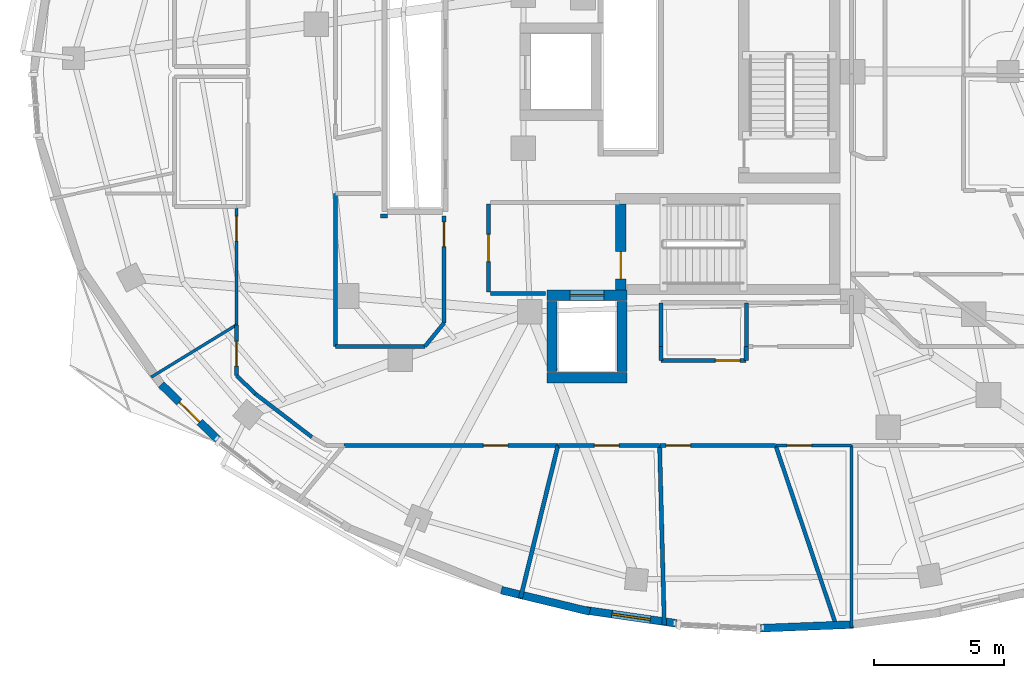
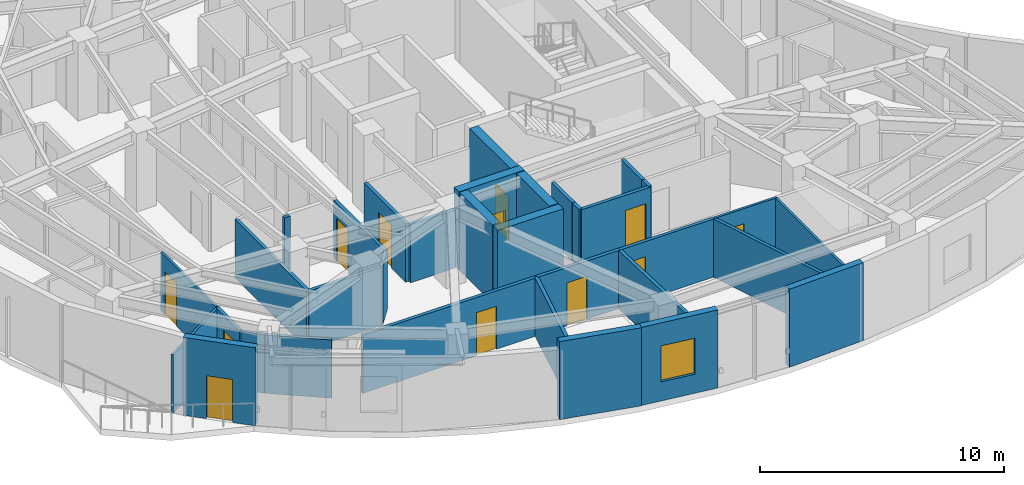
# One storey, part 7 of 14: 34 walls, 12 doors, 1 window, 13 openings.
"""IFC4 building model written with IfcOpenShell, lengths in metres."""

from ifc_helpers import new_model, si_unit, direction, frame, frame_2d, origin, place, context, subcontext, project, spatial, rectangle, extrude, material, layer, layer_set, type_object, element, fill, save


model = new_model("IFC4")

# Units and contexts
model_context = context("Model", 3, precision=1e-05, world=origin(), true_north=direction((0.0, 1.0)))
body_context = subcontext(model_context, "Body", "Model", "MODEL_VIEW")
ifc_project = project(units=[si_unit("LENGTHUNIT", "METRE"), si_unit("AREAUNIT", "SQUARE_METRE"), si_unit("VOLUMEUNIT", "CUBIC_METRE"), si_unit("PLANEANGLEUNIT", "RADIAN"), si_unit("MASSUNIT", "GRAM", prefix="KILO")], contexts=[model_context])

# Site, building, storey
site_placement = place(None, origin())
site = spatial("IfcSite", under=ifc_project, at=site_placement, CompositionType="ELEMENT")
building_placement = place(site_placement, origin())
building = spatial("IfcBuilding", under=site, at=building_placement, Name="Korentha Bioscience Tower", CompositionType="ELEMENT")
storey_placement = place(building_placement, frame((0.0, 0.0, 252.0)))
storey = spatial("IfcBuildingStorey", under=building, at=storey_placement, Name="L58", CompositionType="ELEMENT", Elevation=252.0)

# Wall, opening, door
ifc_material_1 = material(Name="Double-Stud Acoustic Gypsum", Category="gypsum")
ifc_layer_1 = layer(ifc_material_1, 0.14990234375, Name="Double-Stud Acoustic Gypsum")
ifc_layer_set_1 = layer_set([ifc_layer_1], Name="Double-Stud Acoustic Gypsum (IW-L150)")
wall_type_1 = type_object("IfcWallType", Name="Acoustic Laboratory Partition Wall 150", PredefinedType="PARTITIONING", material=ifc_layer_set_1)
wall_1_placement = place(storey_placement, frame((21.7900390625, 21.43994140625, 0.0), z_axis=(0.0, 0.0, 1.0), x_axis=(0.0, -1.0, 0.0)))
wall_1 = element("IfcWall", 1, at=wall_1_placement, inside=storey, type_object=wall_type_1, Name="L58 Research Colloquium Seminar Room 02 Entrance Wall", PredefinedType="PARTITIONING", context=body_context, shape_type="SweptSolid", body=[
    extrude(rectangle(XDim=4.131591796875, YDim=0.14990234375, at=frame_2d((2.06591796875, 0.0))), origin(), (0.0, 0.0, 1.0), 2.909912109375),
])
opening_1_placement = place(wall_1_placement, frame((0.239990234375, 0.0, 0.0)))
opening_1 = element("IfcOpeningElement", 2, at=opening_1_placement, cuts=wall_1, Name="Opening ID-10R", PredefinedType="OPENING", context=body_context, shape_type="SweptSolid", body=[
    extrude(rectangle(XDim=0.949951171875, YDim=2.14990234375, at=frame_2d((0.47509765625, 1.074951171875))), frame((0.0, 0.08984375, 0.0), z_axis=(0.0, -1.0, 0.0), x_axis=(1.0, 0.0, 0.0)), (0.0, 0.0, 1.0), 0.1796875),
])
ifc_material_2 = material(Name="Phenolic Laminate Timber Core", Category="wood")
door_type_1 = type_object("IfcDoorType", Name="Laboratory Single Leaf Door 950x2150 Right", OperationType="SINGLE_SWING_RIGHT", PredefinedType="DOOR", material=ifc_material_2)
door_1_placement = place(opening_1_placement, origin())
door_1 = element("IfcDoor", 3, at=door_1_placement, inside=storey, type_object=door_type_1, Name="L58 Research Colloquium Seminar Room 02 Door", OperationType="SINGLE_SWING_RIGHT", OverallHeight=2.14990234375, OverallWidth=0.949951171875, PredefinedType="DOOR", context=body_context, shape_type="SweptSolid", body=[
    extrude(rectangle(XDim=0.949951171875, YDim=2.14990234375, at=frame_2d((0.47509765625, 1.074951171875))), frame((0.0, 0.02490234375, 0.0), z_axis=(0.0, -1.0, 0.0), x_axis=(1.0, 0.0, 0.0)), (0.0, 0.0, 1.0), 0.050048828125),
])
fill(opening_1, door_1)

wall_2_placement = place(storey_placement, frame((13.7900390625, 17.2255859375, 0.0), z_axis=(0.0, 0.0, 1.0), x_axis=(0.0, -1.0, 0.0)))
wall_2 = element("IfcWall", 4, at=wall_2_placement, inside=storey, type_object=wall_type_1, Name="L58 Staff Pantry Kitchenette 03 Entrance Wall", PredefinedType="PARTITIONING", context=body_context, shape_type="SweptSolid", body=[
    extrude(rectangle(XDim=1.93408203125, YDim=0.14990234375, at=frame_2d((0.967041015625, 0.0))), origin(), (0.0, 0.0, 1.0), 2.909912109375),
])
opening_2_placement = place(wall_2_placement, frame((0.625, 0.0, 0.0)))
opening_2 = element("IfcOpeningElement", 5, at=opening_2_placement, cuts=wall_2, Name="Opening ID-10L", PredefinedType="OPENING", context=body_context, shape_type="SweptSolid", body=[
    extrude(rectangle(XDim=0.949951171875, YDim=2.14990234375, at=frame_2d((0.47509765625, 1.074951171875))), frame((0.0, 0.08984375, 0.0), z_axis=(0.0, -1.0, 0.0), x_axis=(1.0, 0.0, 0.0)), (0.0, 0.0, 1.0), 0.1796875),
])
door_type_2 = type_object("IfcDoorType", Name="Laboratory Single Leaf Door 950x2150 Left", OperationType="SINGLE_SWING_LEFT", PredefinedType="DOOR", material=ifc_material_2)
door_2_placement = place(opening_2_placement, origin())
door_2 = element("IfcDoor", 6, at=door_2_placement, inside=storey, type_object=door_type_2, Name="L58 Staff Pantry Kitchenette 03 Door", OperationType="SINGLE_SWING_LEFT", OverallHeight=2.14990234375, OverallWidth=0.949951171875, PredefinedType="DOOR", context=body_context, shape_type="SweptSolid", body=[
    extrude(rectangle(XDim=0.949951171875, YDim=2.14990234375, at=frame_2d((0.47509765625, 1.074951171875))), frame((0.0, 0.02490234375, 0.0), z_axis=(0.0, -1.0, 0.0), x_axis=(1.0, 0.0, 0.0)), (0.0, 0.0, 1.0), 0.050048828125),
])
fill(opening_2, door_2)

wall_3_placement = place(storey_placement, frame((30.1103515625, 12.590087890625, 0.0), z_axis=(0.0, 0.0, 1.0), x_axis=(1.0, 0.0, 0.0)))
wall_3 = element("IfcWall", 7, at=wall_3_placement, inside=storey, type_object=wall_type_1, Name="L58 Epidemiology Modelling Studio 06 Entrance Wall", PredefinedType="PARTITIONING", context=body_context, shape_type="SweptSolid", body=[
    extrude(rectangle(XDim=4.462158203125, YDim=0.14990234375, at=frame_2d((2.23095703125, 0.0))), origin(), (0.0, 0.0, 1.0), 2.909912109375),
])
opening_3_placement = place(wall_3_placement, frame((0.239990234375, 0.0, 0.0)))
opening_3 = element("IfcOpeningElement", 8, at=opening_3_placement, cuts=wall_3, Name="Opening ID-10R", PredefinedType="OPENING", context=body_context, shape_type="SweptSolid", body=[
    extrude(rectangle(XDim=0.949951171875, YDim=2.14990234375, at=frame_2d((0.47509765625, 1.074951171875))), frame((0.0, 0.08984375, 0.0), z_axis=(0.0, -1.0, 0.0), x_axis=(1.0, 0.0, 0.0)), (0.0, 0.0, 1.0), 0.1796875),
])
door_3_placement = place(opening_3_placement, origin())
door_3 = element("IfcDoor", 9, at=door_3_placement, inside=storey, type_object=door_type_1, Name="L58 Epidemiology Modelling Studio 06 Door", OperationType="SINGLE_SWING_RIGHT", OverallHeight=2.14990234375, OverallWidth=0.949951171875, PredefinedType="DOOR", context=body_context, shape_type="SweptSolid", body=[
    extrude(rectangle(XDim=0.949951171875, YDim=2.14990234375, at=frame_2d((0.47509765625, 1.074951171875))), frame((0.0, 0.02490234375, 0.0), z_axis=(0.0, -1.0, 0.0), x_axis=(1.0, 0.0, 0.0)), (0.0, 0.0, 1.0), 0.050048828125),
])
fill(opening_3, door_3)

# Walls
wall_4_placement = place(storey_placement, frame((19.35009765625, 21.43994140625, 0.0), z_axis=(0.0, 0.0, 1.0), x_axis=(1.0, 0.0, 0.0)))
element("IfcWall", 10, at=wall_4_placement, inside=storey, type_object=wall_type_1, Name="L58 Interior Partition 050", PredefinedType="PARTITIONING", context=body_context, shape_type="SweptSolid", body=[
    extrude(rectangle(XDim=0.27001953125, YDim=0.14990234375, at=frame_2d((0.135009765625, 0.0))), origin(), (0.0, 0.0, 1.0), 2.909912109375),
])
wall_5_placement = place(storey_placement, frame((21.7900390625, 17.308349609375, 0.0), z_axis=(0.0, 0.0, 1.0), x_axis=(-0.633375193537, -0.773844857973, 0.0)))
element("IfcWall", 11, at=wall_5_placement, inside=storey, type_object=wall_type_1, Name="L58 Interior Partition 051", PredefinedType="PARTITIONING", context=body_context, shape_type="SweptSolid", body=[
    extrude(rectangle(XDim=1.160888671875, YDim=0.14990234375, at=frame_2d((0.58056640625, 0.0))), origin(), (0.0, 0.0, 1.0), 2.909912109375),
])
wall_6_placement = place(storey_placement, frame((21.0546875, 16.409912109375, 0.0), z_axis=(0.0, 0.0, 1.0), x_axis=(-1.0, 0.0, 0.0)))
element("IfcWall", 12, at=wall_6_placement, inside=storey, type_object=wall_type_1, Name="L58 Interior Partition 052", PredefinedType="PARTITIONING", context=body_context, shape_type="SweptSolid", body=[
    extrude(rectangle(XDim=3.444580078125, YDim=0.14990234375, at=frame_2d((1.72216796875, 0.0))), origin(), (0.0, 0.0, 1.0), 2.909912109375),
])
wall_7_placement = place(storey_placement, frame((17.610107421875, 16.409912109375, 0.0), z_axis=(0.0, 0.0, 1.0), x_axis=(0.0, 1.0, 0.0)))
element("IfcWall", 13, at=wall_7_placement, inside=storey, type_object=wall_type_1, Name="L58 Interior Partition 053", PredefinedType="PARTITIONING", context=body_context, shape_type="SweptSolid", body=[
    extrude(rectangle(XDim=5.88818359375, YDim=0.14990234375, at=frame_2d((2.944091796875, 0.0))), origin(), (0.0, 0.0, 1.0), 2.909912109375),
])
wall_8_placement = place(storey_placement, frame((13.79296875, 15.2841796875, 0.0), z_axis=(0.0, 0.0, 1.0), x_axis=(0.7160122468, -0.698087718294, 0.0)))
element("IfcWall", 14, at=wall_8_placement, inside=storey, type_object=wall_type_1, Name="L58 Interior Partition 055", PredefinedType="PARTITIONING", context=body_context, shape_type="SweptSolid", body=[
    extrude(rectangle(XDim=1.0078125, YDim=0.14990234375, at=frame_2d((0.50390625, 0.0))), origin(), (0.0, 0.0, 1.0), 2.909912109375),
])
wall_9_placement = place(storey_placement, frame((14.515625, 14.579833984375, 0.0), z_axis=(0.0, 0.0, 1.0), x_axis=(0.794390609039, -0.60740724417, 0.0)))
element("IfcWall", 15, at=wall_9_placement, inside=storey, type_object=wall_type_1, Name="L58 Interior Partition 056", PredefinedType="PARTITIONING", context=body_context, shape_type="SweptSolid", body=[
    extrude(rectangle(XDim=2.74853515625, YDim=0.14990234375, at=frame_2d((1.374267578125, 0.0))), origin(), (0.0, 0.0, 1.0), 2.909912109375),
])
wall_10_placement = place(storey_placement, frame((34.572509765625, 12.590087890625, 0.0), z_axis=(0.0, 0.0, 1.0), x_axis=(0.318948473563, -0.947772056568, 0.0)))
element("IfcWall", 16, at=wall_10_placement, inside=storey, type_object=wall_type_1, Name="L58 Interior Partition 062", PredefinedType="PARTITIONING", context=body_context, shape_type="SweptSolid", body=[
    extrude(rectangle(XDim=7.426513671875, YDim=0.14990234375, at=frame_2d((3.71337890625, 0.0))), origin(), (0.0, 0.0, 1.0), 2.909912109375),
])

# Wall, opening, door
ifc_material_3 = material(Name="Fire-Rated Framed Glass", Category="glass")
ifc_layer_2 = layer(ifc_material_3, 0.110107421875, Name="Fire-Rated Framed Glass")
ifc_layer_set_2 = layer_set([ifc_layer_2], Name="Fire-Rated Framed Glass (IW-G110)")
wall_type_2 = type_object("IfcWallType", Name="Demountable Glazed Office Partition 110", PredefinedType="MOVABLE", material=ifc_layer_set_2)
wall_11_placement = place(storey_placement, frame((13.7900390625, 21.7900390625, 0.0), z_axis=(0.0, 0.0, 1.0), x_axis=(0.0, -1.0, 0.0)))
wall_11 = element("IfcWall", 17, at=wall_11_placement, inside=storey, type_object=wall_type_2, Name="L58 Principal Investigator Office 01 Entrance Wall", PredefinedType="MOVABLE", context=body_context, shape_type="SweptSolid", body=[
    extrude(rectangle(XDim=4.552734375, YDim=0.110107421875, at=frame_2d((2.2763671875, 0.0))), origin(), (0.0, 0.0, 1.0), 2.909912109375),
])
opening_4_placement = place(wall_11_placement, frame((0.37158203125, 0.0, 0.0)))
opening_4 = element("IfcOpeningElement", 18, at=opening_4_placement, cuts=wall_11, Name="Opening ID-10L", PredefinedType="OPENING", context=body_context, shape_type="SweptSolid", body=[
    extrude(rectangle(XDim=0.949951171875, YDim=2.14990234375, at=frame_2d((0.47509765625, 1.074951171875))), frame((0.0, 0.06982421875, 0.0), z_axis=(0.0, -1.0, 0.0), x_axis=(1.0, 0.0, 0.0)), (0.0, 0.0, 1.0), 0.139892578125),
])
door_4_placement = place(opening_4_placement, origin())
door_4 = element("IfcDoor", 19, at=door_4_placement, inside=storey, type_object=door_type_2, Name="L58 Principal Investigator Office 01 Door", OperationType="SINGLE_SWING_LEFT", OverallHeight=2.14990234375, OverallWidth=0.949951171875, PredefinedType="DOOR", context=body_context, shape_type="SweptSolid", body=[
    extrude(rectangle(XDim=0.949951171875, YDim=2.14990234375, at=frame_2d((0.47509765625, 1.074951171875))), frame((0.0, 0.02490234375, 0.0), z_axis=(0.0, -1.0, 0.0), x_axis=(1.0, 0.0, 0.0)), (0.0, 0.0, 1.0), 0.050048828125),
])
fill(opening_4, door_4)

wall_12_placement = place(storey_placement, frame((34.5830078125, 12.590087890625, 0.0), z_axis=(0.0, 0.0, 1.0), x_axis=(1.0, 0.0, 0.0)))
wall_12 = element("IfcWall", 20, at=wall_12_placement, inside=storey, type_object=wall_type_2, Name="L58 Senior Scientist Corner Office 07 Entrance Wall", PredefinedType="MOVABLE", context=body_context, shape_type="SweptSolid", body=[
    extrude(rectangle(XDim=2.9150390625, YDim=0.110107421875, at=frame_2d((1.45751953125, 0.0))), origin(), (0.0, 0.0, 1.0), 2.909912109375),
])
opening_5_placement = place(wall_12_placement, frame((0.429443359375, 0.0, 0.0)))
opening_5 = element("IfcOpeningElement", 21, at=opening_5_placement, cuts=wall_12, Name="Opening ID-10L", PredefinedType="OPENING", context=body_context, shape_type="SweptSolid", body=[
    extrude(rectangle(XDim=0.949951171875, YDim=2.14990234375, at=frame_2d((0.47509765625, 1.074951171875))), frame((0.0, 0.06982421875, 0.0), z_axis=(0.0, -1.0, 0.0), x_axis=(1.0, 0.0, 0.0)), (0.0, 0.0, 1.0), 0.139892578125),
])
door_5_placement = place(opening_5_placement, origin())
door_5 = element("IfcDoor", 22, at=door_5_placement, inside=storey, type_object=door_type_2, Name="L58 Senior Scientist Corner Office 07 Door", OperationType="SINGLE_SWING_LEFT", OverallHeight=2.14990234375, OverallWidth=0.949951171875, PredefinedType="DOOR", context=body_context, shape_type="SweptSolid", body=[
    extrude(rectangle(XDim=0.949951171875, YDim=2.14990234375, at=frame_2d((0.47509765625, 1.074951171875))), frame((0.0, 0.02490234375, 0.0), z_axis=(0.0, -1.0, 0.0), x_axis=(1.0, 0.0, 0.0)), (0.0, 0.0, 1.0), 0.050048828125),
])
fill(opening_5, door_5)

# Walls
wall_13_placement = place(storey_placement, frame((13.7900390625, 17.2373046875, 0.0), z_axis=(0.0, 0.0, 1.0), x_axis=(-0.852642224979, -0.522495202066, 0.0)))
element("IfcWall", 23, at=wall_13_placement, inside=storey, type_object=wall_type_2, Name="L58 Interior Partition 048", PredefinedType="MOVABLE", context=body_context, shape_type="SweptSolid", body=[
    extrude(rectangle(XDim=3.853515625, YDim=0.110107421875, at=frame_2d((1.9267578125, 0.0))), origin(), (0.0, 0.0, 1.0), 2.909912109375),
])
wall_14_placement = place(storey_placement, frame((37.498046875, 12.590087890625, 0.0), z_axis=(0.0, 0.0, 1.0), x_axis=(0.0, -1.0, 0.0)))
element("IfcWall", 24, at=wall_14_placement, inside=storey, type_object=wall_type_2, Name="L58 Interior Partition 063", PredefinedType="MOVABLE", context=body_context, shape_type="SweptSolid", body=[
    extrude(rectangle(XDim=7.02392578125, YDim=0.110107421875, at=frame_2d((3.511962890625, 0.0))), origin(), (0.0, 0.0, 1.0), 2.909912109375),
])

# Wall, opening, door
ifc_material_4 = material(Name="Gypsum-Clad Steel Stud", Category="steel")
ifc_layer_3 = layer(ifc_material_4, 0.159912109375, Name="Gypsum-Clad Steel Stud")
ifc_layer_set_3 = layer_set([ifc_layer_3], Name="Gypsum-Clad Steel Stud (IW-C160)")
wall_type_3 = type_object("IfcWallType", Name="Fire-Rated Corridor Partition Wall 160", PredefinedType="PARTITIONING", material=ifc_layer_set_3)
wall_15_placement = place(storey_placement, frame((23.5, 18.5, 0.0), z_axis=(0.0, 0.0, 1.0), x_axis=(0.0, 1.0, 0.0)))
wall_15 = element("IfcWall", 25, at=wall_15_placement, inside=storey, type_object=wall_type_3, Name="L58 FFLS-CW Rated Enclosure Wall", PredefinedType="PARTITIONING", context=body_context, shape_type="SweptSolid", body=[
    extrude(rectangle(XDim=3.39990234375, YDim=0.159912109375, at=frame_2d((1.699951171875, 0.0))), origin(), (0.0, 0.0, 1.0), 2.909912109375),
])
opening_6_placement = place(wall_15_placement, frame((1.175048828125, 0.0, 0.0)))
opening_6 = element("IfcOpeningElement", 26, at=opening_6_placement, cuts=wall_15, Name="Opening FD-90L", PredefinedType="OPENING", context=body_context, shape_type="SweptSolid", body=[
    extrude(rectangle(XDim=1.050048828125, YDim=2.14990234375, at=frame_2d((0.52490234375, 1.074951171875))), frame((0.0, 0.0947265625, 0.0), z_axis=(0.0, -1.0, 0.0), x_axis=(1.0, 0.0, 0.0)), (0.0, 0.0, 1.0), 0.189697265625),
])
ifc_material_5 = material(Name="Powder-Coated Fire-Rated Steel", Category="steel")
door_type_3 = type_object("IfcDoorType", Name="Stairwell Fire Exit Door 1050x2150 Left", OperationType="SINGLE_SWING_LEFT", PredefinedType="DOOR", material=ifc_material_5)
door_6_placement = place(opening_6_placement, origin())
door_6 = element("IfcDoor", 27, at=door_6_placement, inside=storey, type_object=door_type_3, Name="L58 South Firefighting Lobby Door", OperationType="SINGLE_SWING_LEFT", OverallHeight=2.14990234375, OverallWidth=1.050048828125, PredefinedType="DOOR", context=body_context, shape_type="SweptSolid", body=[
    extrude(rectangle(XDim=1.050048828125, YDim=2.14990234375, at=frame_2d((0.52490234375, 1.074951171875))), frame((0.0, 0.02490234375, 0.0), z_axis=(0.0, -1.0, 0.0), x_axis=(1.0, 0.0, 0.0)), (0.0, 0.0, 1.0), 0.050048828125),
])
fill(opening_6, door_6)

# Wall
wall_16_placement = place(storey_placement, frame((23.580078125, 18.449951171875, 0.0), z_axis=(0.0, 0.0, 1.0), x_axis=(1.0, 0.0, 0.0)))
element("IfcWall", 28, at=wall_16_placement, inside=storey, type_object=wall_type_3, Name="L58 Firefighting Lobby Return Wall FFLS-S", PredefinedType="PARTITIONING", context=body_context, shape_type="SweptSolid", body=[
    extrude(rectangle(XDim=2.119873046875, YDim=0.159912109375, at=frame_2d((1.06005859375, 0.0))), origin(), (0.0, 0.0, 1.0), 2.909912109375),
])

# Wall, opening, door
wall_17_placement = place(storey_placement, frame((33.43994140625, 15.860107421875, 0.0), z_axis=(0.0, 0.0, 1.0), x_axis=(-1.0, 0.0, 0.0)))
wall_17 = element("IfcWall", 29, at=wall_17_placement, inside=storey, type_object=wall_type_3, Name="L58 Core Instrumentation and Gas Store Entrance Wall", PredefinedType="PARTITIONING", context=body_context, shape_type="SweptSolid", body=[
    extrude(rectangle(XDim=3.280029296875, YDim=0.159912109375, at=frame_2d((1.64013671875, 0.0))), origin(), (0.0, 0.0, 1.0), 2.909912109375),
])
opening_7_placement = place(wall_17_placement, frame((0.239990234375, 0.0, 0.0)))
opening_7 = element("IfcOpeningElement", 30, at=opening_7_placement, cuts=wall_17, Name="Opening ID-10L", PredefinedType="OPENING", context=body_context, shape_type="SweptSolid", body=[
    extrude(rectangle(XDim=0.949951171875, YDim=2.14990234375, at=frame_2d((0.47509765625, 1.074951171875))), frame((0.0, 0.0947265625, 0.0), z_axis=(0.0, -1.0, 0.0), x_axis=(1.0, 0.0, 0.0)), (0.0, 0.0, 1.0), 0.189697265625),
])
door_7_placement = place(opening_7_placement, origin())
door_7 = element("IfcDoor", 31, at=door_7_placement, inside=storey, type_object=door_type_2, Name="L58 Core Instrumentation and Gas Store Door", OperationType="SINGLE_SWING_LEFT", OverallHeight=2.14990234375, OverallWidth=0.949951171875, PredefinedType="DOOR", context=body_context, shape_type="SweptSolid", body=[
    extrude(rectangle(XDim=0.949951171875, YDim=2.14990234375, at=frame_2d((0.47509765625, 1.074951171875))), frame((0.0, 0.02490234375, 0.0), z_axis=(0.0, -1.0, 0.0), x_axis=(1.0, 0.0, 0.0)), (0.0, 0.0, 1.0), 0.050048828125),
])
fill(opening_7, door_7)

wall_18_placement = place(storey_placement, frame((17.93798828125, 12.590087890625, 0.0), z_axis=(0.0, 0.0, 1.0), x_axis=(1.0, 0.0, 0.0)))
wall_18 = element("IfcWall", 32, at=wall_18_placement, inside=storey, type_object=wall_type_3, Name="L58 Biospecimen Archive Store 04 Entrance Wall", PredefinedType="PARTITIONING", context=body_context, shape_type="SweptSolid", body=[
    extrude(rectangle(XDim=8.24560546875, YDim=0.159912109375, at=frame_2d((4.122802734375, 0.0))), origin(), (0.0, 0.0, 1.0), 2.909912109375),
])
opening_8_placement = place(wall_18_placement, frame((5.3642578125, 0.0, 0.0)))
opening_8 = element("IfcOpeningElement", 33, at=opening_8_placement, cuts=wall_18, Name="Opening ID-10R", PredefinedType="OPENING", context=body_context, shape_type="SweptSolid", body=[
    extrude(rectangle(XDim=0.949951171875, YDim=2.14990234375, at=frame_2d((0.47509765625, 1.074951171875))), frame((0.0, 0.0947265625, 0.0), z_axis=(0.0, -1.0, 0.0), x_axis=(1.0, 0.0, 0.0)), (0.0, 0.0, 1.0), 0.189697265625),
])
door_8_placement = place(opening_8_placement, origin())
door_8 = element("IfcDoor", 34, at=door_8_placement, inside=storey, type_object=door_type_1, Name="L58 Biospecimen Archive Store 04 Door", OperationType="SINGLE_SWING_RIGHT", OverallHeight=2.14990234375, OverallWidth=0.949951171875, PredefinedType="DOOR", context=body_context, shape_type="SweptSolid", body=[
    extrude(rectangle(XDim=0.949951171875, YDim=2.14990234375, at=frame_2d((0.47509765625, 1.074951171875))), frame((0.0, 0.02490234375, 0.0), z_axis=(0.0, -1.0, 0.0), x_axis=(1.0, 0.0, 0.0)), (0.0, 0.0, 1.0), 0.050048828125),
])
fill(opening_8, door_8)

wall_19_placement = place(storey_placement, frame((26.193603515625, 12.590087890625, 0.0), z_axis=(0.0, 0.0, 1.0), x_axis=(1.0, 0.0, 0.0)))
wall_19 = element("IfcWall", 35, at=wall_19_placement, inside=storey, type_object=wall_type_3, Name="L58 Cold-Chain Stability Chamber 05 Entrance Wall", PredefinedType="PARTITIONING", context=body_context, shape_type="SweptSolid", body=[
    extrude(rectangle(XDim=3.90673828125, YDim=0.159912109375, at=frame_2d((1.953369140625, 0.0))), origin(), (0.0, 0.0, 1.0), 2.909912109375),
])
opening_9_placement = place(wall_19_placement, frame((1.3955078125, 0.0, 0.0)))
opening_9 = element("IfcOpeningElement", 36, at=opening_9_placement, cuts=wall_19, Name="Opening ID-10L", PredefinedType="OPENING", context=body_context, shape_type="SweptSolid", body=[
    extrude(rectangle(XDim=0.949951171875, YDim=2.14990234375, at=frame_2d((0.47509765625, 1.074951171875))), frame((0.0, 0.0947265625, 0.0), z_axis=(0.0, -1.0, 0.0), x_axis=(1.0, 0.0, 0.0)), (0.0, 0.0, 1.0), 0.189697265625),
])
door_9_placement = place(opening_9_placement, origin())
door_9 = element("IfcDoor", 37, at=door_9_placement, inside=storey, type_object=door_type_2, Name="L58 Cold-Chain Stability Chamber 05 Door", OperationType="SINGLE_SWING_LEFT", OverallHeight=2.14990234375, OverallWidth=0.949951171875, PredefinedType="DOOR", context=body_context, shape_type="SweptSolid", body=[
    extrude(rectangle(XDim=0.949951171875, YDim=2.14990234375, at=frame_2d((0.47509765625, 1.074951171875))), frame((0.0, 0.02490234375, 0.0), z_axis=(0.0, -1.0, 0.0), x_axis=(1.0, 0.0, 0.0)), (0.0, 0.0, 1.0), 0.050048828125),
])
fill(opening_9, door_9)

# Walls
for number, where, z_axis, x_axis, name in (
    (38, (33.43994140625, 16.39990234375, 0.0), (0.0, 0.0, 1.0), (0.0, -1.0, 0.0), "L58 Interior Partition 028"),
    (39, (30.159912109375, 15.860107421875, 0.0), (0.0, 0.0, 1.0), (0.0, 1.0, 0.0), "L58 Interior Partition 029"),
):
    element("IfcWall", number, at=place(storey_placement, frame(where, z_axis=z_axis, x_axis=x_axis)), inside=storey, type_object=wall_type_3, Name=name, PredefinedType="PARTITIONING", context=body_context, shape_type="SweptSolid", body=[
        extrude(rectangle(XDim=0.539794921875, YDim=0.159912109375, at=frame_2d((0.27001953125, 0.0))), origin(), (0.0, 0.0, 1.0), 2.909912109375),
    ])
for number, where, z_axis, x_axis, name in (
    (40, (30.14990234375, 16.409912109375, 0.0), (0.0, 0.0, 1.0), (0.0, 1.0, 0.0), "L58 Interior Partition 030"),
    (41, (33.449951171875, 18.090087890625, 0.0), (0.0, 0.0, 1.0), (0.0, -1.0, 0.0), "L58 Interior Partition 032"),
):
    element("IfcWall", number, at=place(storey_placement, frame(where, z_axis=z_axis, x_axis=x_axis)), inside=storey, type_object=wall_type_3, Name=name, PredefinedType="PARTITIONING", context=body_context, shape_type="SweptSolid", body=[
        extrude(rectangle(XDim=1.68017578125, YDim=0.159912109375, at=frame_2d((0.840087890625, 0.0))), origin(), (0.0, 0.0, 1.0), 2.909912109375),
    ])
wall_20_placement = place(storey_placement, frame((26.18359375, 12.590087890625, 0.0), z_axis=(0.0, 0.0, 1.0), x_axis=(-0.238531404219, -0.971134784261, 0.0)))
element("IfcWall", 42, at=wall_20_placement, inside=storey, type_object=wall_type_3, Name="L58 Interior Partition 060", PredefinedType="PARTITIONING", context=body_context, shape_type="SweptSolid", body=[
    extrude(rectangle(XDim=6.05712890625, YDim=0.159912109375, at=frame_2d((3.028564453125, 0.0))), origin(), (0.0, 0.0, 1.0), 2.909912109375),
])
wall_21_placement = place(storey_placement, frame((30.100341796875, 12.590087890625, 0.0), z_axis=(0.0, 0.0, 1.0), x_axis=(0.026207563796, -0.999656522812, 0.0)))
element("IfcWall", 43, at=wall_21_placement, inside=storey, type_object=wall_type_3, Name="L58 Interior Partition 061", PredefinedType="PARTITIONING", context=body_context, shape_type="SweptSolid", body=[
    extrude(rectangle(XDim=6.930908203125, YDim=0.159912109375, at=frame_2d((3.46533203125, 0.0))), origin(), (0.0, 0.0, 1.0), 2.909912109375),
])

# Wall, opening, door
ifc_material_6 = material(Name="Honed Limestone Precast Concrete C40", Category="masonry")
ifc_layer_4 = layer(ifc_material_6, 0.300048828125, Name="Honed Limestone Precast Concrete C40")
ifc_layer_set_4 = layer_set([ifc_layer_4], Name="Honed Limestone Precast Concrete C40 (EW-ST300)")
wall_type_4 = type_object("IfcWallType", Name="Honed Limestone Cavity Spandrel Wall 300", PredefinedType="STANDARD", material=ifc_layer_set_4)
wall_22_placement = place(storey_placement, frame((10.8916015625, 14.94287109375, 0.0), z_axis=(0.0, 0.0, 1.0), x_axis=(0.716005135245, -0.698095012375, 0.0)))
wall_22 = element("IfcWall", 44, at=wall_22_placement, inside=storey, type_object=wall_type_4, Name="L58 Balcony Threshold Wall 03", PredefinedType="STANDARD", context=body_context, shape_type="SweptSolid", body=[
    extrude(rectangle(XDim=3.053466796875, YDim=0.300048828125, at=frame_2d((1.52685546875, 0.0))), origin(), (0.0, 0.0, 1.0), 3.89990234375),
])
opening_10_placement = place(wall_22_placement, frame((0.976806640625, 0.0, 0.0)))
opening_10 = element("IfcOpeningElement", 45, at=opening_10_placement, cuts=wall_22, Name="Opening BD-11L", PredefinedType="OPENING", context=body_context, shape_type="SweptSolid", body=[
    extrude(rectangle(XDim=1.10009765625, YDim=2.14990234375, at=frame_2d((0.550048828125, 1.074951171875))), frame((0.0, 0.1650390625, 0.0), z_axis=(0.0, -1.0, 0.0), x_axis=(1.0, 0.0, 0.0)), (0.0, 0.0, 1.0), 0.329833984375),
])
ifc_material_7 = material(Name="Thermally Broken Glazed Aluminium", Category="aluminium")
door_type_4 = type_object("IfcDoorType", Name="Balcony Terrace Glazed Door 1100x2150 Left", OperationType="SINGLE_SWING_LEFT", PredefinedType="DOOR", material=ifc_material_7)
door_10_placement = place(opening_10_placement, origin())
door_10 = element("IfcDoor", 46, at=door_10_placement, inside=storey, type_object=door_type_4, Name="L58 Balcony Access Door 03", OperationType="SINGLE_SWING_LEFT", OverallHeight=2.14990234375, OverallWidth=1.10009765625, PredefinedType="DOOR", context=body_context, shape_type="SweptSolid", body=[
    extrude(rectangle(XDim=1.10009765625, YDim=2.14990234375, at=frame_2d((0.550048828125, 1.074951171875))), frame((0.0, 0.02490234375, 0.0), z_axis=(0.0, -1.0, 0.0), x_axis=(1.0, 0.0, 0.0)), (0.0, 0.0, 1.0), 0.050048828125),
])
fill(opening_10, door_10)

# Wall, opening, window
wall_23_placement = place(storey_placement, frame((27.26513671875, 6.23486328125, 0.0), z_axis=(0.0, 0.0, 1.0), x_axis=(0.989727373885, -0.14296756759, 0.0)))
wall_23 = element("IfcWall", 47, at=wall_23_placement, inside=storey, type_object=wall_type_4, Name="L58 Honed Limestone Spandrel Wall 30", PredefinedType="STANDARD", context=body_context, shape_type="SweptSolid", body=[
    extrude(rectangle(XDim=3.514404296875, YDim=0.300048828125, at=frame_2d((1.75732421875, 0.0))), origin(), (0.0, 0.0, 1.0), 3.89990234375),
])
opening_11_placement = place(wall_23_placement, frame((1.007080078125, 0.0, 0.949951171875)))
opening_11 = element("IfcOpeningElement", 48, at=opening_11_placement, cuts=wall_23, Name="Opening WN-02", PredefinedType="OPENING", context=body_context, shape_type="SweptSolid", body=[
    extrude(rectangle(XDim=1.5, YDim=1.800048828125, at=frame_2d((0.75, 0.89990234375))), frame((0.0, 0.1650390625, 0.0), z_axis=(0.0, -1.0, 0.0), x_axis=(1.0, 0.0, 0.0)), (0.0, 0.0, 1.0), 0.329833984375),
])
ifc_material_8 = material(Name="Thermally Broken Aluminium Triple Glazing", Category="aluminium")
window_type = type_object("IfcWindowType", Name="Acoustic Operable Office Window 1500x1800", PartitioningType="DOUBLE_PANEL_VERTICAL", PredefinedType="WINDOW", material=ifc_material_8)
window_placement = place(opening_11_placement, origin())
window = element("IfcWindow", 49, at=window_placement, inside=storey, type_object=window_type, Name="L58 Facade Window 30", OverallHeight=1.800048828125, OverallWidth=1.5, PartitioningType="DOUBLE_PANEL_VERTICAL", PredefinedType="WINDOW", context=body_context, shape_type="SweptSolid", body=[
    extrude(rectangle(XDim=1.5, YDim=1.800048828125, at=frame_2d((0.75, 0.89990234375))), frame((0.0, 0.030029296875, 0.0), z_axis=(0.0, -1.0, 0.0), x_axis=(1.0, 0.0, 0.0)), (0.0, 0.0, 1.0), 0.06005859375),
])
fill(opening_11, window)

# Walls
wall_24_placement = place(storey_placement, frame((23.998046875, 7.01025390625, 0.0), z_axis=(0.0, 0.0, 1.0), x_axis=(0.972025869784, -0.23487381393, 0.0)))
element("IfcWall", 50, at=wall_24_placement, inside=storey, type_object=wall_type_4, Name="L58 Limestone Perimeter Closure Wall 29", PredefinedType="STANDARD", context=body_context, shape_type="SweptSolid", body=[
    extrude(rectangle(XDim=3.51220703125, YDim=0.300048828125, at=frame_2d((1.756103515625, 0.0))), origin(), (0.0, 0.0, 1.0), 3.89990234375),
])
wall_25_placement = place(storey_placement, frame((33.98779296875, 5.543212890625, 0.0), z_axis=(0.0, 0.0, 1.0), x_axis=(0.999208461954, 0.039780014567, 0.0)))
element("IfcWall", 51, at=wall_25_placement, inside=storey, type_object=wall_type_4, Name="L58 Limestone Perimeter Closure Wall 32", PredefinedType="STANDARD", context=body_context, shape_type="SweptSolid", body=[
    extrude(rectangle(XDim=3.578125, YDim=0.300048828125, at=frame_2d((1.7890625, 0.0))), origin(), (0.0, 0.0, 1.0), 3.89990234375),
])

# Wall, opening, door
ifc_material_9 = material(Name="Concrete C65", Category="concrete")
ifc_layer_5 = layer(ifc_material_9, 0.39990234375, Name="Concrete C65")
ifc_layer_set_5 = layer_set([ifc_layer_5], Name="Concrete C65 (CW-C65)")
wall_type_5 = type_object("IfcWallType", Name="Mid-Rise Core Shear Wall 400", PredefinedType="SHEAR", material=ifc_layer_set_5)
wall_26_placement = place(storey_placement, frame((28.60009765625, 18.58203125, 0.0), z_axis=(0.0, 0.0, 1.0), x_axis=(0.0, 1.0, 0.0)))
wall_26 = element("IfcWall", 52, at=wall_26_placement, inside=storey, type_object=wall_type_5, Name="L58 Core Shear Wall ST2-W", PredefinedType="SHEAR", context=body_context, shape_type="SweptSolid", body=[
    extrude(rectangle(XDim=3.307861328125, YDim=0.39990234375, at=frame_2d((1.65380859375, 0.0))), origin(), (0.0, 0.0, 1.0), 3.89990234375),
])
opening_12_placement = place(wall_26_placement, frame((0.427978515625, 0.0, 0.0)))
opening_12 = element("IfcOpeningElement", 53, at=opening_12_placement, cuts=wall_26, Name="Opening FD-90L", PredefinedType="OPENING", context=body_context, shape_type="SweptSolid", body=[
    extrude(rectangle(XDim=1.050048828125, YDim=2.14990234375, at=frame_2d((0.52490234375, 1.074951171875))), frame((0.0, 0.21484375, 0.0), z_axis=(0.0, -1.0, 0.0), x_axis=(1.0, 0.0, 0.0)), (0.0, 0.0, 1.0), 0.4296875),
])
door_11_placement = place(opening_12_placement, origin())
door_11 = element("IfcDoor", 54, at=door_11_placement, inside=storey, type_object=door_type_3, Name="L58 ST-2 Fire Exit Stair Door", OperationType="SINGLE_SWING_LEFT", OverallHeight=2.14990234375, OverallWidth=1.050048828125, PredefinedType="DOOR", context=body_context, shape_type="SweptSolid", body=[
    extrude(rectangle(XDim=1.050048828125, YDim=2.14990234375, at=frame_2d((0.52490234375, 1.074951171875))), frame((0.0, 0.02490234375, 0.0), z_axis=(0.0, -1.0, 0.0), x_axis=(1.0, 0.0, 0.0)), (0.0, 0.0, 1.0), 0.050048828125),
])
fill(opening_12, door_11)

# Wall
wall_27_placement = place(storey_placement, frame((25.75, 15.199951171875, 0.0), z_axis=(0.0, 0.0, 1.0), x_axis=(1.0, 0.0, 0.0)))
element("IfcWall", 55, at=wall_27_placement, inside=storey, type_object=wall_type_5, Name="L58 Core Shear Wall FFL1-S", PredefinedType="SHEAR", context=body_context, shape_type="SweptSolid", body=[
    extrude(rectangle(XDim=3.10009765625, YDim=0.39990234375, at=frame_2d((1.550048828125, 0.0))), origin(), (0.0, 0.0, 1.0), 3.89990234375),
])

# Wall, opening, door
wall_28_placement = place(storey_placement, frame((25.75, 18.3798828125, 0.0), z_axis=(0.0, 0.0, 1.0), x_axis=(1.0, 0.0, 0.0)))
wall_28 = element("IfcWall", 56, at=wall_28_placement, inside=storey, type_object=wall_type_5, Name="L58 Core Shear Wall FFL1-N", PredefinedType="SHEAR", context=body_context, shape_type="SweptSolid", body=[
    extrude(rectangle(XDim=3.10009765625, YDim=0.39990234375, at=frame_2d((1.550048828125, 0.0))), origin(), (0.0, 0.0, 1.0), 3.89990234375),
])
opening_13_placement = place(wall_28_placement, frame((0.89990234375, 0.0, 0.0)))
opening_13 = element("IfcOpeningElement", 57, at=opening_13_placement, cuts=wall_28, Name="Opening LD-13", PredefinedType="OPENING", context=body_context, shape_type="SweptSolid", body=[
    extrude(rectangle(XDim=1.300048828125, YDim=2.199951171875, at=frame_2d((0.64990234375, 1.10009765625))), frame((0.0, 0.21484375, 0.0), z_axis=(0.0, -1.0, 0.0), x_axis=(1.0, 0.0, 0.0)), (0.0, 0.0, 1.0), 0.4296875),
])
ifc_material_10 = material(Name="Brushed Stainless Steel 316", Category="steel")
door_type_5 = type_object("IfcDoorType", Name="Service & Firefighting Lift Landing Door 1300x2300", OperationType="DOUBLE_DOOR_SLIDING", PredefinedType="DOOR", material=ifc_material_10)
door_12_placement = place(opening_13_placement, origin())
door_12 = element("IfcDoor", 58, at=door_12_placement, inside=storey, type_object=door_type_5, Name="L58 FFL-1 Sliding Lift Landing Door", OperationType="DOUBLE_DOOR_SLIDING", OverallHeight=2.199951171875, OverallWidth=1.300048828125, PredefinedType="DOOR", context=body_context, shape_type="SweptSolid", body=[
    extrude(rectangle(XDim=1.300048828125, YDim=2.199951171875, at=frame_2d((0.64990234375, 1.10009765625))), frame((0.0, 0.02490234375, 0.0), z_axis=(0.0, -1.0, 0.0), x_axis=(1.0, 0.0, 0.0)), (0.0, 0.0, 1.0), 0.050048828125),
])
fill(opening_13, door_12)

# Walls
for number, where, z_axis, x_axis, name in (
    (59, (25.949951171875, 15.43994140625, 0.0), (0.0, 0.0, 1.0), (0.0, 1.0, 0.0), "L58 Core Shear Wall FFL1-W"),
    (60, (28.64990234375, 15.43994140625, 0.0), (0.0, 0.0, 1.0), (0.0, 1.0, 0.0), "L58 Core Shear Wall FFL1-E"),
):
    element("IfcWall", number, at=place(storey_placement, frame(where, z_axis=z_axis, x_axis=x_axis)), inside=storey, type_object=wall_type_5, Name=name, PredefinedType="SHEAR", context=body_context, shape_type="SweptSolid", body=[
        extrude(rectangle(XDim=2.699951171875, YDim=0.39990234375, at=frame_2d((1.35009765625, 0.0))), origin(), (0.0, 0.0, 1.0), 3.89990234375),
    ])

save(model, "model.ifc")
